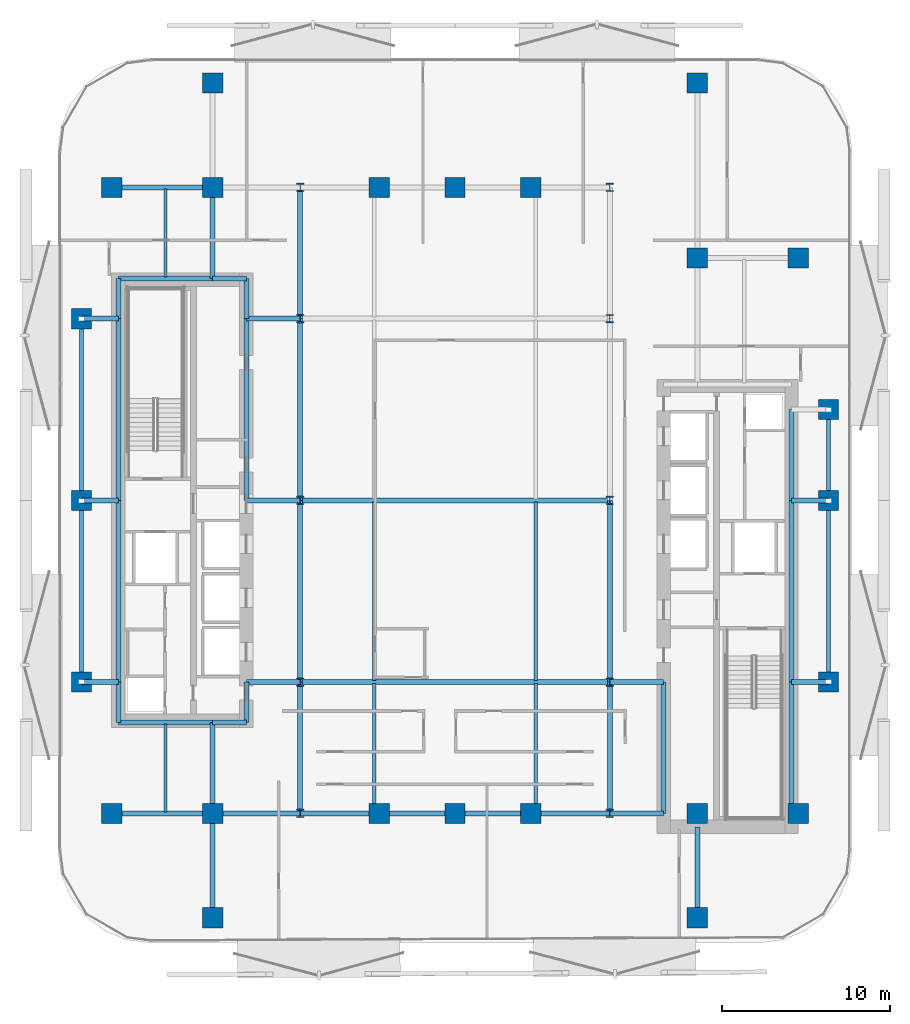
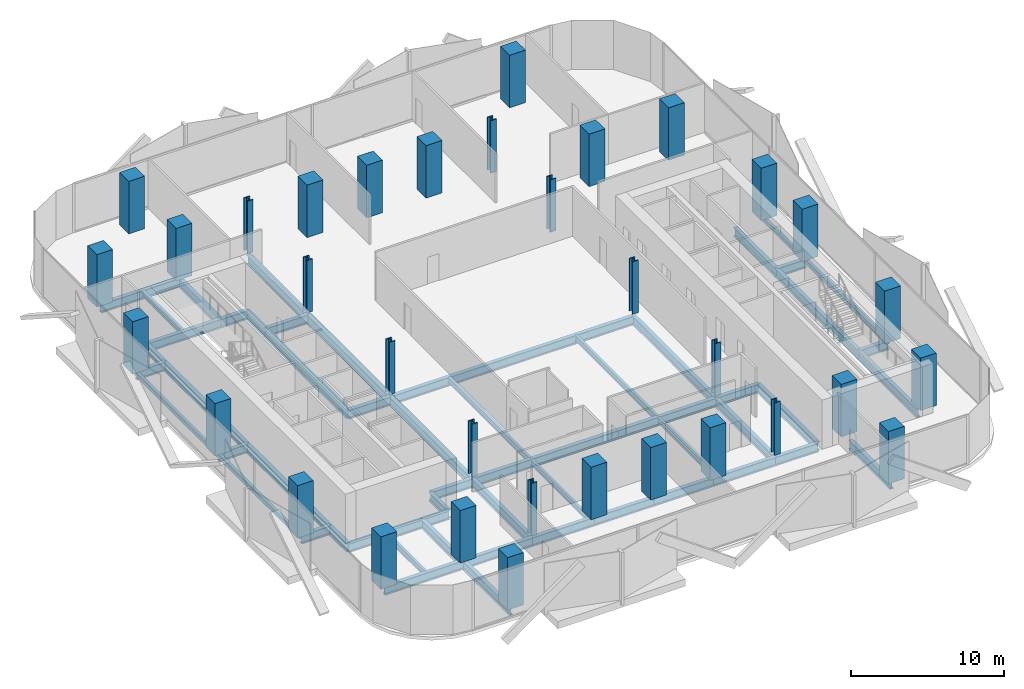
# One storey, part 1 of 15: 54 beams, 34 columns.
"""IFC4 building model written with IfcOpenShell, lengths in metres."""

from ifc_helpers import new_model, si_unit, direction, frame, origin, origin_2d, place, context, subcontext, project, spatial, rectangle, hollow_rectangle, i_section, extrude, material, material_profile, profile_set, type_object, element, save


model = new_model("IFC4")

# Units and contexts
model_context = context("Model", 3, precision=1e-05, world=origin(), true_north=direction((0.0, 1.0)))
body_context = subcontext(model_context, "Body", "Model", "MODEL_VIEW")
ifc_project = project(units=[si_unit("LENGTHUNIT", "METRE"), si_unit("AREAUNIT", "SQUARE_METRE"), si_unit("VOLUMEUNIT", "CUBIC_METRE"), si_unit("PLANEANGLEUNIT", "RADIAN"), si_unit("MASSUNIT", "GRAM", prefix="KILO")], contexts=[model_context])

# Site, building, storey
site_placement = place(None, origin())
site = spatial("IfcSite", under=ifc_project, at=site_placement, CompositionType="ELEMENT")
building_placement = place(site_placement, origin())
building = spatial("IfcBuilding", under=site, at=building_placement, Name="Khairoan Windgate Tower", CompositionType="ELEMENT")
storey_placement = place(building_placement, frame((0.0, 0.0, 118.39990234375)))
storey = spatial("IfcBuildingStorey", under=building, at=storey_placement, Name="L27", CompositionType="ELEMENT", Elevation=118.39990234375)

# Columns
ifc_material_1 = material(Name="Concrete C60/75", Category="concrete")
ifc_material_profile_1 = material_profile(ifc_material_1, rectangle(XDim=1.199951171875, YDim=1.199951171875, at=origin_2d()))
ifc_profile_set_1 = profile_set([ifc_material_profile_1], Name="Concrete C60/75")
column_type_1 = type_object("IfcColumnType", Name="Column C-T3 RC1200x1200", PredefinedType="COLUMN", material=ifc_profile_set_1)
for number, where, z_axis, x_axis, name in (
    (1, (-20.39990234375, -18.60009765625, 0.0), (0.0, 0.0, 1.0), (1.0, 0.0, 0.0), "Column L27-11"),
    (2, (-20.39990234375, 18.60009765625, 0.0), (0.0, 0.0, 1.0), (1.0, 0.0, 0.0), "Column L27-12"),
    (3, (20.39990234375, -18.60009765625, 0.0), (0.0, 0.0, 1.0), (1.0, 0.0, 0.0), "Column L27-13"),
    (4, (20.39990234375, 14.39990234375, 0.0), (0.0, 0.0, 1.0), (1.0, 0.0, 0.0), "Column L27-14"),
    (5, (-14.39990234375, -18.60009765625, 0.0), (0.0, 0.0, 1.0), (1.0, 0.0, 0.0), "Column L27-15"),
    (6, (-14.39990234375, 18.60009765625, 0.0), (0.0, 0.0, 1.0), (1.0, 0.0, 0.0), "Column L27-16"),
    (7, (14.39990234375, -18.60009765625, 0.0), (0.0, 0.0, 1.0), (1.0, 0.0, 0.0), "Column L27-17"),
    (8, (14.39990234375, 14.39990234375, 0.0), (0.0, 0.0, 1.0), (1.0, 0.0, 0.0), "Column L27-18"),
    (9, (-4.5, -18.60009765625, 0.0), (0.0, 0.0, 1.0), (1.0, 0.0, 0.0), "Column L27-19"),
    (10, (0.0, -18.60009765625, 0.0), (0.0, 0.0, 1.0), (1.0, 0.0, 0.0), "Column L27-20"),
    (11, (4.5, -18.60009765625, 0.0), (0.0, 0.0, 1.0), (1.0, 0.0, 0.0), "Column L27-21"),
    (12, (-4.5, 18.60009765625, 0.0), (0.0, 0.0, 1.0), (1.0, 0.0, 0.0), "Column L27-22"),
    (13, (0.0, 18.60009765625, 0.0), (0.0, 0.0, 1.0), (1.0, 0.0, 0.0), "Column L27-23"),
    (14, (4.5, 18.60009765625, 0.0), (0.0, 0.0, 1.0), (1.0, 0.0, 0.0), "Column L27-24"),
    (15, (-22.199951171875, -10.800048828125, 0.0), (0.0, 0.0, 1.0), (1.0, 0.0, 0.0), "Column L27-25"),
    (16, (-22.199951171875, 0.0, 0.0), (0.0, 0.0, 1.0), (1.0, 0.0, 0.0), "Column L27-26"),
    (17, (-22.199951171875, 10.800048828125, 0.0), (0.0, 0.0, 1.0), (1.0, 0.0, 0.0), "Column L27-27"),
    (18, (22.199951171875, -10.800048828125, 0.0), (0.0, 0.0, 1.0), (1.0, 0.0, 0.0), "Column L27-28"),
    (19, (22.199951171875, 0.0, 0.0), (0.0, 0.0, 1.0), (1.0, 0.0, 0.0), "Column L27-29"),
    (20, (22.199951171875, 5.39990234375, 0.0), (0.0, 0.0, 1.0), (1.0, 0.0, 0.0), "Column L27-30"),
    (21, (-14.39990234375, -24.800048828125, 0.0), (0.0, 0.0, 1.0), (1.0, 0.0, 0.0), "Column L27-31"),
    (22, (-14.39990234375, 24.800048828125, 0.0), (0.0, 0.0, 1.0), (1.0, 0.0, 0.0), "Column L27-32"),
    (23, (14.39990234375, -24.800048828125, 0.0), (0.0, 0.0, 1.0), (1.0, 0.0, 0.0), "Column L27-33"),
    (24, (14.39990234375, 24.800048828125, 0.0), (0.0, 0.0, 1.0), (1.0, 0.0, 0.0), "Column L27-34"),
):
    element("IfcColumn", number, at=place(storey_placement, frame(where, z_axis=z_axis, x_axis=x_axis)), inside=storey, type_object=column_type_1, Name=name, PredefinedType="COLUMN", context=body_context, shape_type="SweptSolid", body=[
        extrude(rectangle(XDim=1.199951171875, YDim=1.199951171875, at=origin_2d()), origin(), (0.0, 0.0, 1.0), 4.2001953125),
    ])
ifc_material_2 = material(Name="Steel S355", Category="steel")
ifc_material_profile_2 = material_profile(ifc_material_2, i_section(OverallWidth=0.431884765625, OverallDepth=0.498046875, WebThickness=0.044921875, FlangeThickness=0.070068359375, FilletRadius=0.02197265625, at=origin_2d()))
ifc_profile_set_2 = profile_set([ifc_material_profile_2], Name="Steel S355")
column_type_2 = type_object("IfcColumnType", Name="Steel Column SC1 H498x432x45x70", PredefinedType="COLUMN", material=ifc_profile_set_2)
for number, where, z_axis, x_axis, name in (
    (25, (-9.199951171875, -18.60009765625, 0.0), (0.0, 0.0, 1.0), (1.0, 0.0, 0.0), "Column L27-01"),
    (26, (-9.199951171875, -10.800048828125, 0.0), (0.0, 0.0, 1.0), (1.0, 0.0, 0.0), "Column L27-02"),
    (27, (-9.199951171875, 0.0, 0.0), (0.0, 0.0, 1.0), (1.0, 0.0, 0.0), "Column L27-03"),
    (28, (-9.199951171875, 10.800048828125, 0.0), (0.0, 0.0, 1.0), (1.0, 0.0, 0.0), "Column L27-04"),
    (29, (-9.199951171875, 18.60009765625, 0.0), (0.0, 0.0, 1.0), (1.0, 0.0, 0.0), "Column L27-05"),
    (30, (9.199951171875, -18.60009765625, 0.0), (0.0, 0.0, 1.0), (1.0, 0.0, 0.0), "Column L27-06"),
    (31, (9.199951171875, -10.800048828125, 0.0), (0.0, 0.0, 1.0), (1.0, 0.0, 0.0), "Column L27-07"),
    (32, (9.199951171875, 0.0, 0.0), (0.0, 0.0, 1.0), (1.0, 0.0, 0.0), "Column L27-08"),
    (33, (9.199951171875, 10.800048828125, 0.0), (0.0, 0.0, 1.0), (1.0, 0.0, 0.0), "Column L27-09"),
    (34, (9.199951171875, 18.60009765625, 0.0), (0.0, 0.0, 1.0), (1.0, 0.0, 0.0), "Column L27-10"),
):
    element("IfcColumn", number, at=place(storey_placement, frame(where, z_axis=z_axis, x_axis=x_axis)), inside=storey, type_object=column_type_2, Name=name, PredefinedType="COLUMN", context=body_context, shape_type="SweptSolid", body=[
        extrude(i_section(OverallWidth=0.431884765625, OverallDepth=0.498046875, WebThickness=0.044921875, FlangeThickness=0.070068359375, FilletRadius=0.02197265625, at=origin_2d()), origin(), (0.0, 0.0, 1.0), 4.2001953125),
    ])

# Beams
ifc_material_3 = material(Name="Steel S355", Category="steel")
ifc_material_profile_3 = material_profile(ifc_material_3, i_section(OverallWidth=0.300048828125, OverallDepth=0.699951171875, WebThickness=0.012939453125, FlangeThickness=0.02392578125, FilletRadius=0.02587890625, at=origin_2d()))
ifc_profile_set_3 = profile_set([ifc_material_profile_3], Name="Steel S355")
beam_type_1 = type_object("IfcBeamType", Name="Beam B-G3 H700x300x13x24", PredefinedType="BEAM", material=ifc_profile_set_3)
beam_1_placement = place(storey_placement, frame((-20.39990234375, -18.60009765625, -0.60986328125), z_axis=(1.0, 0.0, 0.0), x_axis=(0.0, 1.0, 0.0)))
element("IfcBeam", 35, at=beam_1_placement, inside=storey, type_object=beam_type_1, Name="L27 E-W Primary Girder 01", PredefinedType="BEAM", context=body_context, shape_type="SweptSolid", body=[
    extrude(i_section(OverallWidth=0.300048828125, OverallDepth=0.699951171875, WebThickness=0.012939453125, FlangeThickness=0.02392578125, FilletRadius=0.02587890625, at=origin_2d()), origin(), (0.0, 0.0, 1.0), 6.0),
])
beam_2_placement = place(storey_placement, frame((-14.39990234375, -18.60009765625, -0.60986328125), z_axis=(1.0, 0.0, 0.0), x_axis=(0.0, 1.0, 0.0)))
element("IfcBeam", 36, at=beam_2_placement, inside=storey, type_object=beam_type_1, Name="L27 E-W Primary Girder 02", PredefinedType="BEAM", context=body_context, shape_type="SweptSolid", body=[
    extrude(i_section(OverallWidth=0.300048828125, OverallDepth=0.699951171875, WebThickness=0.012939453125, FlangeThickness=0.02392578125, FilletRadius=0.02587890625, at=origin_2d()), origin(), (0.0, 0.0, 1.0), 5.199951171875),
])
beam_3_placement = place(storey_placement, frame((-9.199951171875, -18.60009765625, -0.60986328125), z_axis=(1.0, 0.0, 0.0), x_axis=(0.0, 1.0, 0.0)))
element("IfcBeam", 37, at=beam_3_placement, inside=storey, type_object=beam_type_1, Name="L27 E-W Primary Girder 03", PredefinedType="BEAM", context=body_context, shape_type="SweptSolid", body=[
    extrude(i_section(OverallWidth=0.300048828125, OverallDepth=0.699951171875, WebThickness=0.012939453125, FlangeThickness=0.02392578125, FilletRadius=0.02587890625, at=origin_2d()), origin(), (0.0, 0.0, 1.0), 4.699951171875),
])
for number, where, z_axis, x_axis, name in (
    (38, (-4.5, -18.60009765625, -0.60986328125), (1.0, 0.0, 0.0), (0.0, 1.0, 0.0), "L27 E-W Primary Girder 04"),
    (39, (0.0, -18.60009765625, -0.60986328125), (1.0, 0.0, 0.0), (0.0, 1.0, 0.0), "L27 E-W Primary Girder 05"),
):
    element("IfcBeam", number, at=place(storey_placement, frame(where, z_axis=z_axis, x_axis=x_axis)), inside=storey, type_object=beam_type_1, Name=name, PredefinedType="BEAM", context=body_context, shape_type="SweptSolid", body=[
        extrude(i_section(OverallWidth=0.300048828125, OverallDepth=0.699951171875, WebThickness=0.012939453125, FlangeThickness=0.02392578125, FilletRadius=0.02587890625, at=origin_2d()), origin(), (0.0, 0.0, 1.0), 4.5),
    ])
beam_4_placement = place(storey_placement, frame((4.5, -18.60009765625, -0.60986328125), z_axis=(1.0, 0.0, 0.0), x_axis=(0.0, 1.0, 0.0)))
element("IfcBeam", 40, at=beam_4_placement, inside=storey, type_object=beam_type_1, Name="L27 E-W Primary Girder 06", PredefinedType="BEAM", context=body_context, shape_type="SweptSolid", body=[
    extrude(i_section(OverallWidth=0.300048828125, OverallDepth=0.699951171875, WebThickness=0.012939453125, FlangeThickness=0.02392578125, FilletRadius=0.02587890625, at=origin_2d()), origin(), (0.0, 0.0, 1.0), 4.699951171875),
])
beam_5_placement = place(storey_placement, frame((9.199951171875, -18.60009765625, -0.60986328125), z_axis=(1.0, 0.0, 0.0), x_axis=(0.0, 1.0, 0.0)))
element("IfcBeam", 41, at=beam_5_placement, inside=storey, type_object=beam_type_1, Name="L27 E-W Primary Girder 07", PredefinedType="BEAM", context=body_context, shape_type="SweptSolid", body=[
    extrude(i_section(OverallWidth=0.300048828125, OverallDepth=0.699951171875, WebThickness=0.012939453125, FlangeThickness=0.02392578125, FilletRadius=0.02587890625, at=origin_2d()), origin(), (0.0, 0.0, 1.0), 3.199951171875),
])
beam_6_placement = place(storey_placement, frame((-20.0, -13.199951171875, -0.60986328125), z_axis=(1.0, 0.0, 0.0), x_axis=(0.0, 1.0, 0.0)))
element("IfcBeam", 42, at=beam_6_placement, inside=storey, type_object=beam_type_1, Name="L27 E-W Primary Girder 08", PredefinedType="BEAM", context=body_context, shape_type="SweptSolid", body=[
    extrude(i_section(OverallWidth=0.300048828125, OverallDepth=0.699951171875, WebThickness=0.012939453125, FlangeThickness=0.02392578125, FilletRadius=0.02587890625, at=origin_2d()), origin(), (0.0, 0.0, 1.0), 5.60009765625),
])
beam_7_placement = place(storey_placement, frame((-14.39990234375, -13.199951171875, -0.60986328125), z_axis=(1.0, 0.0, 0.0), x_axis=(0.0, 1.0, 0.0)))
element("IfcBeam", 43, at=beam_7_placement, inside=storey, type_object=beam_type_1, Name="L27 E-W Primary Girder 09", PredefinedType="BEAM", context=body_context, shape_type="SweptSolid", body=[
    extrude(i_section(OverallWidth=0.300048828125, OverallDepth=0.699951171875, WebThickness=0.012939453125, FlangeThickness=0.02392578125, FilletRadius=0.02587890625, at=origin_2d()), origin(), (0.0, 0.0, 1.0), 2.0),
])
beam_8_placement = place(storey_placement, frame((-22.199951171875, -10.800048828125, -0.60986328125), z_axis=(1.0, 0.0, 0.0), x_axis=(0.0, 1.0, 0.0)))
element("IfcBeam", 44, at=beam_8_placement, inside=storey, type_object=beam_type_1, Name="L27 E-W Primary Girder 10", PredefinedType="BEAM", context=body_context, shape_type="SweptSolid", body=[
    extrude(i_section(OverallWidth=0.300048828125, OverallDepth=0.699951171875, WebThickness=0.012939453125, FlangeThickness=0.02392578125, FilletRadius=0.02587890625, at=origin_2d()), origin(), (0.0, 0.0, 1.0), 2.199951171875),
])
beam_9_placement = place(storey_placement, frame((-12.39990234375, -10.800048828125, -0.60986328125), z_axis=(1.0, 0.0, 0.0), x_axis=(0.0, 1.0, 0.0)))
element("IfcBeam", 45, at=beam_9_placement, inside=storey, type_object=beam_type_1, Name="L27 E-W Primary Girder 11", PredefinedType="BEAM", context=body_context, shape_type="SweptSolid", body=[
    extrude(i_section(OverallWidth=0.300048828125, OverallDepth=0.699951171875, WebThickness=0.012939453125, FlangeThickness=0.02392578125, FilletRadius=0.02587890625, at=origin_2d()), origin(), (0.0, 0.0, 1.0), 3.199951171875),
])
beam_10_placement = place(storey_placement, frame((-9.199951171875, -10.800048828125, -0.60986328125), z_axis=(1.0, 0.0, 0.0), x_axis=(0.0, 1.0, 0.0)))
element("IfcBeam", 46, at=beam_10_placement, inside=storey, type_object=beam_type_1, Name="L27 E-W Primary Girder 12", PredefinedType="BEAM", context=body_context, shape_type="SweptSolid", body=[
    extrude(i_section(OverallWidth=0.300048828125, OverallDepth=0.699951171875, WebThickness=0.012939453125, FlangeThickness=0.02392578125, FilletRadius=0.02587890625, at=origin_2d()), origin(), (0.0, 0.0, 1.0), 18.39990234375),
])
beam_11_placement = place(storey_placement, frame((9.199951171875, -10.800048828125, -0.60986328125), z_axis=(1.0, 0.0, 0.0), x_axis=(0.0, 1.0, 0.0)))
element("IfcBeam", 47, at=beam_11_placement, inside=storey, type_object=beam_type_1, Name="L27 E-W Primary Girder 13", PredefinedType="BEAM", context=body_context, shape_type="SweptSolid", body=[
    extrude(i_section(OverallWidth=0.300048828125, OverallDepth=0.699951171875, WebThickness=0.012939453125, FlangeThickness=0.02392578125, FilletRadius=0.02587890625, at=origin_2d()), origin(), (0.0, 0.0, 1.0), 3.199951171875),
])
for number, where, z_axis, x_axis, name in (
    (48, (20.0, -10.800048828125, -0.60986328125), (1.0, 0.0, 0.0), (0.0, 1.0, 0.0), "L27 E-W Primary Girder 14"),
    (49, (-22.199951171875, 0.0, -0.60986328125), (1.0, 0.0, 0.0), (0.0, 1.0, 0.0), "L27 E-W Primary Girder 15"),
):
    element("IfcBeam", number, at=place(storey_placement, frame(where, z_axis=z_axis, x_axis=x_axis)), inside=storey, type_object=beam_type_1, Name=name, PredefinedType="BEAM", context=body_context, shape_type="SweptSolid", body=[
        extrude(i_section(OverallWidth=0.300048828125, OverallDepth=0.699951171875, WebThickness=0.012939453125, FlangeThickness=0.02392578125, FilletRadius=0.02587890625, at=origin_2d()), origin(), (0.0, 0.0, 1.0), 2.199951171875),
    ])
beam_12_placement = place(storey_placement, frame((-12.39990234375, 0.0, -0.60986328125), z_axis=(1.0, 0.0, 0.0), x_axis=(0.0, 1.0, 0.0)))
element("IfcBeam", 50, at=beam_12_placement, inside=storey, type_object=beam_type_1, Name="L27 E-W Primary Girder 16", PredefinedType="BEAM", context=body_context, shape_type="SweptSolid", body=[
    extrude(i_section(OverallWidth=0.300048828125, OverallDepth=0.699951171875, WebThickness=0.012939453125, FlangeThickness=0.02392578125, FilletRadius=0.02587890625, at=origin_2d()), origin(), (0.0, 0.0, 1.0), 3.199951171875),
])
beam_13_placement = place(storey_placement, frame((-9.199951171875, 0.0, -0.60986328125), z_axis=(1.0, 0.0, 0.0), x_axis=(0.0, 1.0, 0.0)))
element("IfcBeam", 51, at=beam_13_placement, inside=storey, type_object=beam_type_1, Name="L27 E-W Primary Girder 17", PredefinedType="BEAM", context=body_context, shape_type="SweptSolid", body=[
    extrude(i_section(OverallWidth=0.300048828125, OverallDepth=0.699951171875, WebThickness=0.012939453125, FlangeThickness=0.02392578125, FilletRadius=0.02587890625, at=origin_2d()), origin(), (0.0, 0.0, 1.0), 18.39990234375),
])
for number, where, z_axis, x_axis, name in (
    (52, (20.0, 0.0, -0.60986328125), (1.0, 0.0, 0.0), (0.0, 1.0, 0.0), "L27 E-W Primary Girder 18"),
    (53, (-22.199951171875, 10.800048828125, -0.60986328125), (1.0, 0.0, 0.0), (0.0, 1.0, 0.0), "L27 E-W Primary Girder 22"),
):
    element("IfcBeam", number, at=place(storey_placement, frame(where, z_axis=z_axis, x_axis=x_axis)), inside=storey, type_object=beam_type_1, Name=name, PredefinedType="BEAM", context=body_context, shape_type="SweptSolid", body=[
        extrude(i_section(OverallWidth=0.300048828125, OverallDepth=0.699951171875, WebThickness=0.012939453125, FlangeThickness=0.02392578125, FilletRadius=0.02587890625, at=origin_2d()), origin(), (0.0, 0.0, 1.0), 2.199951171875),
    ])
beam_14_placement = place(storey_placement, frame((-12.39990234375, 10.800048828125, -0.60986328125), z_axis=(1.0, 0.0, 0.0), x_axis=(0.0, 1.0, 0.0)))
element("IfcBeam", 54, at=beam_14_placement, inside=storey, type_object=beam_type_1, Name="L27 E-W Primary Girder 23", PredefinedType="BEAM", context=body_context, shape_type="SweptSolid", body=[
    extrude(i_section(OverallWidth=0.300048828125, OverallDepth=0.699951171875, WebThickness=0.012939453125, FlangeThickness=0.02392578125, FilletRadius=0.02587890625, at=origin_2d()), origin(), (0.0, 0.0, 1.0), 3.199951171875),
])
beam_15_placement = place(storey_placement, frame((-20.0, 13.199951171875, -0.60986328125), z_axis=(1.0, 0.0, 0.0), x_axis=(0.0, 1.0, 0.0)))
element("IfcBeam", 55, at=beam_15_placement, inside=storey, type_object=beam_type_1, Name="L27 E-W Primary Girder 25", PredefinedType="BEAM", context=body_context, shape_type="SweptSolid", body=[
    extrude(i_section(OverallWidth=0.300048828125, OverallDepth=0.699951171875, WebThickness=0.012939453125, FlangeThickness=0.02392578125, FilletRadius=0.02587890625, at=origin_2d()), origin(), (0.0, 0.0, 1.0), 5.60009765625),
])
beam_16_placement = place(storey_placement, frame((-14.39990234375, 13.199951171875, -0.60986328125), z_axis=(1.0, 0.0, 0.0), x_axis=(0.0, 1.0, 0.0)))
element("IfcBeam", 56, at=beam_16_placement, inside=storey, type_object=beam_type_1, Name="L27 E-W Primary Girder 26", PredefinedType="BEAM", context=body_context, shape_type="SweptSolid", body=[
    extrude(i_section(OverallWidth=0.300048828125, OverallDepth=0.699951171875, WebThickness=0.012939453125, FlangeThickness=0.02392578125, FilletRadius=0.02587890625, at=origin_2d()), origin(), (0.0, 0.0, 1.0), 2.0),
])
beam_17_placement = place(storey_placement, frame((-20.39990234375, 18.60009765625, -0.60986328125), z_axis=(1.0, 0.0, 0.0), x_axis=(0.0, 1.0, 0.0)))
element("IfcBeam", 57, at=beam_17_placement, inside=storey, type_object=beam_type_1, Name="L27 E-W Primary Girder 28", PredefinedType="BEAM", context=body_context, shape_type="SweptSolid", body=[
    extrude(i_section(OverallWidth=0.300048828125, OverallDepth=0.699951171875, WebThickness=0.012939453125, FlangeThickness=0.02392578125, FilletRadius=0.02587890625, at=origin_2d()), origin(), (0.0, 0.0, 1.0), 6.0),
])
beam_18_placement = place(storey_placement, frame((-20.0, -13.199951171875, -0.60986328125), z_axis=(0.0, 1.0, 0.0), x_axis=(-1.0, 0.0, 0.0)))
element("IfcBeam", 58, at=beam_18_placement, inside=storey, type_object=beam_type_1, Name="L27 N-S Primary Beam 36", PredefinedType="BEAM", context=body_context, shape_type="SweptSolid", body=[
    extrude(i_section(OverallWidth=0.300048828125, OverallDepth=0.699951171875, WebThickness=0.012939453125, FlangeThickness=0.02392578125, FilletRadius=0.02587890625, at=origin_2d()), origin(), (0.0, 0.0, 1.0), 2.39990234375),
])
for number, where, z_axis, x_axis, name in (
    (59, (-20.0, -10.800048828125, -0.60986328125), (0.0, 1.0, 0.0), (-1.0, 0.0, 0.0), "L27 N-S Primary Beam 37"),
    (60, (-20.0, 0.0, -0.60986328125), (0.0, 1.0, 0.0), (-1.0, 0.0, 0.0), "L27 N-S Primary Beam 38"),
):
    element("IfcBeam", number, at=place(storey_placement, frame(where, z_axis=z_axis, x_axis=x_axis)), inside=storey, type_object=beam_type_1, Name=name, PredefinedType="BEAM", context=body_context, shape_type="SweptSolid", body=[
        extrude(i_section(OverallWidth=0.300048828125, OverallDepth=0.699951171875, WebThickness=0.012939453125, FlangeThickness=0.02392578125, FilletRadius=0.02587890625, at=origin_2d()), origin(), (0.0, 0.0, 1.0), 10.800048828125),
    ])
beam_19_placement = place(storey_placement, frame((-20.0, 10.800048828125, -0.60986328125), z_axis=(0.0, 1.0, 0.0), x_axis=(-1.0, 0.0, 0.0)))
element("IfcBeam", 61, at=beam_19_placement, inside=storey, type_object=beam_type_1, Name="L27 N-S Primary Beam 39", PredefinedType="BEAM", context=body_context, shape_type="SweptSolid", body=[
    extrude(i_section(OverallWidth=0.300048828125, OverallDepth=0.699951171875, WebThickness=0.012939453125, FlangeThickness=0.02392578125, FilletRadius=0.02587890625, at=origin_2d()), origin(), (0.0, 0.0, 1.0), 2.39990234375),
])
beam_20_placement = place(storey_placement, frame((-14.39990234375, -24.800048828125, -0.60986328125), z_axis=(0.0, 1.0, 0.0), x_axis=(-1.0, 0.0, 0.0)))
element("IfcBeam", 62, at=beam_20_placement, inside=storey, type_object=beam_type_1, Name="L27 N-S Primary Beam 40", PredefinedType="BEAM", context=body_context, shape_type="SweptSolid", body=[
    extrude(i_section(OverallWidth=0.300048828125, OverallDepth=0.699951171875, WebThickness=0.012939453125, FlangeThickness=0.02392578125, FilletRadius=0.02587890625, at=origin_2d()), origin(), (0.0, 0.0, 1.0), 6.199951171875),
])
for number, where, z_axis, x_axis, name in (
    (63, (-14.39990234375, -18.60009765625, -0.60986328125), (0.0, 1.0, 0.0), (-1.0, 0.0, 0.0), "L27 N-S Primary Beam 41"),
    (64, (-14.39990234375, 13.199951171875, -0.60986328125), (0.0, 1.0, 0.0), (-1.0, 0.0, 0.0), "L27 N-S Primary Beam 42"),
):
    element("IfcBeam", number, at=place(storey_placement, frame(where, z_axis=z_axis, x_axis=x_axis)), inside=storey, type_object=beam_type_1, Name=name, PredefinedType="BEAM", context=body_context, shape_type="SweptSolid", body=[
        extrude(i_section(OverallWidth=0.300048828125, OverallDepth=0.699951171875, WebThickness=0.012939453125, FlangeThickness=0.02392578125, FilletRadius=0.02587890625, at=origin_2d()), origin(), (0.0, 0.0, 1.0), 5.400146484375),
    ])
beam_21_placement = place(storey_placement, frame((-12.39990234375, -13.199951171875, -0.60986328125), z_axis=(0.0, 1.0, 0.0), x_axis=(-1.0, 0.0, 0.0)))
element("IfcBeam", 65, at=beam_21_placement, inside=storey, type_object=beam_type_1, Name="L27 N-S Primary Beam 44", PredefinedType="BEAM", context=body_context, shape_type="SweptSolid", body=[
    extrude(i_section(OverallWidth=0.300048828125, OverallDepth=0.699951171875, WebThickness=0.012939453125, FlangeThickness=0.02392578125, FilletRadius=0.02587890625, at=origin_2d()), origin(), (0.0, 0.0, 1.0), 2.39990234375),
])
beam_22_placement = place(storey_placement, frame((-12.39990234375, 0.0, -0.60986328125), z_axis=(0.0, 1.0, 0.0), x_axis=(-1.0, 0.0, 0.0)))
element("IfcBeam", 66, at=beam_22_placement, inside=storey, type_object=beam_type_1, Name="L27 N-S Primary Beam 45", PredefinedType="BEAM", context=body_context, shape_type="SweptSolid", body=[
    extrude(i_section(OverallWidth=0.300048828125, OverallDepth=0.699951171875, WebThickness=0.012939453125, FlangeThickness=0.02392578125, FilletRadius=0.02587890625, at=origin_2d()), origin(), (0.0, 0.0, 1.0), 10.800048828125),
])
beam_23_placement = place(storey_placement, frame((-12.39990234375, 10.800048828125, -0.60986328125), z_axis=(0.0, 1.0, 0.0), x_axis=(-1.0, 0.0, 0.0)))
element("IfcBeam", 67, at=beam_23_placement, inside=storey, type_object=beam_type_1, Name="L27 N-S Primary Beam 46", PredefinedType="BEAM", context=body_context, shape_type="SweptSolid", body=[
    extrude(i_section(OverallWidth=0.300048828125, OverallDepth=0.699951171875, WebThickness=0.012939453125, FlangeThickness=0.02392578125, FilletRadius=0.02587890625, at=origin_2d()), origin(), (0.0, 0.0, 1.0), 2.39990234375),
])
beam_24_placement = place(storey_placement, frame((-9.199951171875, -18.60009765625, -0.60986328125), z_axis=(0.0, 1.0, 0.0), x_axis=(-1.0, 0.0, 0.0)))
element("IfcBeam", 68, at=beam_24_placement, inside=storey, type_object=beam_type_1, Name="L27 N-S Primary Beam 47", PredefinedType="BEAM", context=body_context, shape_type="SweptSolid", body=[
    extrude(i_section(OverallWidth=0.300048828125, OverallDepth=0.699951171875, WebThickness=0.012939453125, FlangeThickness=0.02392578125, FilletRadius=0.02587890625, at=origin_2d()), origin(), (0.0, 0.0, 1.0), 7.800048828125),
])
for number, where, z_axis, x_axis, name in (
    (69, (-9.199951171875, -10.800048828125, -0.60986328125), (0.0, 1.0, 0.0), (-1.0, 0.0, 0.0), "L27 N-S Primary Beam 48"),
    (70, (-9.199951171875, 0.0, -0.60986328125), (0.0, 1.0, 0.0), (-1.0, 0.0, 0.0), "L27 N-S Primary Beam 49"),
):
    element("IfcBeam", number, at=place(storey_placement, frame(where, z_axis=z_axis, x_axis=x_axis)), inside=storey, type_object=beam_type_1, Name=name, PredefinedType="BEAM", context=body_context, shape_type="SweptSolid", body=[
        extrude(i_section(OverallWidth=0.300048828125, OverallDepth=0.699951171875, WebThickness=0.012939453125, FlangeThickness=0.02392578125, FilletRadius=0.02587890625, at=origin_2d()), origin(), (0.0, 0.0, 1.0), 10.800048828125),
    ])
for number, where, z_axis, x_axis, name in (
    (71, (-9.199951171875, 10.800048828125, -0.60986328125), (0.0, 1.0, 0.0), (-1.0, 0.0, 0.0), "L27 N-S Primary Beam 50"),
    (72, (9.199951171875, -18.60009765625, -0.60986328125), (0.0, 1.0, 0.0), (-1.0, 0.0, 0.0), "L27 N-S Primary Beam 51"),
):
    element("IfcBeam", number, at=place(storey_placement, frame(where, z_axis=z_axis, x_axis=x_axis)), inside=storey, type_object=beam_type_1, Name=name, PredefinedType="BEAM", context=body_context, shape_type="SweptSolid", body=[
        extrude(i_section(OverallWidth=0.300048828125, OverallDepth=0.699951171875, WebThickness=0.012939453125, FlangeThickness=0.02392578125, FilletRadius=0.02587890625, at=origin_2d()), origin(), (0.0, 0.0, 1.0), 7.800048828125),
    ])
beam_25_placement = place(storey_placement, frame((9.199951171875, -10.800048828125, -0.60986328125), z_axis=(0.0, 1.0, 0.0), x_axis=(-1.0, 0.0, 0.0)))
element("IfcBeam", 73, at=beam_25_placement, inside=storey, type_object=beam_type_1, Name="L27 N-S Primary Beam 52", PredefinedType="BEAM", context=body_context, shape_type="SweptSolid", body=[
    extrude(i_section(OverallWidth=0.300048828125, OverallDepth=0.699951171875, WebThickness=0.012939453125, FlangeThickness=0.02392578125, FilletRadius=0.02587890625, at=origin_2d()), origin(), (0.0, 0.0, 1.0), 10.800048828125),
])
beam_26_placement = place(storey_placement, frame((12.39990234375, -18.60009765625, -0.60986328125), z_axis=(0.0, 1.0, 0.0), x_axis=(-1.0, 0.0, 0.0)))
element("IfcBeam", 74, at=beam_26_placement, inside=storey, type_object=beam_type_1, Name="L27 N-S Primary Beam 55", PredefinedType="BEAM", context=body_context, shape_type="SweptSolid", body=[
    extrude(i_section(OverallWidth=0.300048828125, OverallDepth=0.699951171875, WebThickness=0.012939453125, FlangeThickness=0.02392578125, FilletRadius=0.02587890625, at=origin_2d()), origin(), (0.0, 0.0, 1.0), 7.800048828125),
])
beam_27_placement = place(storey_placement, frame((14.39990234375, -24.800048828125, -0.60986328125), z_axis=(0.0, 1.0, 0.0), x_axis=(-1.0, 0.0, 0.0)))
element("IfcBeam", 75, at=beam_27_placement, inside=storey, type_object=beam_type_1, Name="L27 N-S Primary Beam 56", PredefinedType="BEAM", context=body_context, shape_type="SweptSolid", body=[
    extrude(i_section(OverallWidth=0.300048828125, OverallDepth=0.699951171875, WebThickness=0.012939453125, FlangeThickness=0.02392578125, FilletRadius=0.02587890625, at=origin_2d()), origin(), (0.0, 0.0, 1.0), 5.400146484375),
])
beam_28_placement = place(storey_placement, frame((20.0, -18.60009765625, -0.60986328125), z_axis=(0.0, 1.0, 0.0), x_axis=(-1.0, 0.0, 0.0)))
element("IfcBeam", 76, at=beam_28_placement, inside=storey, type_object=beam_type_1, Name="L27 N-S Primary Beam 59", PredefinedType="BEAM", context=body_context, shape_type="SweptSolid", body=[
    extrude(i_section(OverallWidth=0.300048828125, OverallDepth=0.699951171875, WebThickness=0.012939453125, FlangeThickness=0.02392578125, FilletRadius=0.02587890625, at=origin_2d()), origin(), (0.0, 0.0, 1.0), 7.800048828125),
])
beam_29_placement = place(storey_placement, frame((20.0, -10.800048828125, -0.60986328125), z_axis=(0.0, 1.0, 0.0), x_axis=(-1.0, 0.0, 0.0)))
element("IfcBeam", 77, at=beam_29_placement, inside=storey, type_object=beam_type_1, Name="L27 N-S Primary Beam 60", PredefinedType="BEAM", context=body_context, shape_type="SweptSolid", body=[
    extrude(i_section(OverallWidth=0.300048828125, OverallDepth=0.699951171875, WebThickness=0.012939453125, FlangeThickness=0.02392578125, FilletRadius=0.02587890625, at=origin_2d()), origin(), (0.0, 0.0, 1.0), 10.800048828125),
])
beam_30_placement = place(storey_placement, frame((20.0, 0.0, -0.60986328125), z_axis=(0.0, 1.0, 0.0), x_axis=(-1.0, 0.0, 0.0)))
element("IfcBeam", 78, at=beam_30_placement, inside=storey, type_object=beam_type_1, Name="L27 N-S Primary Beam 61", PredefinedType="BEAM", context=body_context, shape_type="SweptSolid", body=[
    extrude(i_section(OverallWidth=0.300048828125, OverallDepth=0.699951171875, WebThickness=0.012939453125, FlangeThickness=0.02392578125, FilletRadius=0.02587890625, at=origin_2d()), origin(), (0.0, 0.0, 1.0), 5.39990234375),
])
ifc_material_4 = material(Name="Steel S355", Category="steel")
ifc_material_profile_4 = material_profile(ifc_material_4, i_section(OverallWidth=0.199951171875, OverallDepth=0.449951171875, WebThickness=0.009033203125, FlangeThickness=0.013916015625, FilletRadius=0.01806640625, at=origin_2d()))
ifc_profile_set_4 = profile_set([ifc_material_profile_4], Name="Steel S355")
beam_type_2 = type_object("IfcBeamType", Name="Beam J-S3 H450x200x9x14", PredefinedType="JOIST", material=ifc_profile_set_4)
for number, where, z_axis, x_axis, name in (
    (79, (-17.199951171875, -18.510009765625, -0.48486328125), (0.0, 1.0, 0.0), (-1.0, 0.0, 0.0), "L27 Secondary Floor Joist 01"),
    (80, (-17.199951171875, 13.2900390625, -0.48486328125), (0.0, 1.0, 0.0), (-1.0, 0.0, 0.0), "L27 Secondary Floor Joist 02"),
):
    element("IfcBeam", number, at=place(storey_placement, frame(where, z_axis=z_axis, x_axis=x_axis)), inside=storey, type_object=beam_type_2, Name=name, PredefinedType="JOIST", context=body_context, shape_type="SweptSolid", body=[
        extrude(i_section(OverallWidth=0.199951171875, OverallDepth=0.449951171875, WebThickness=0.009033203125, FlangeThickness=0.013916015625, FilletRadius=0.01806640625, at=origin_2d()), origin(), (0.0, 0.0, 1.0), 5.219970703125),
    ])
beam_31_placement = place(storey_placement, frame((-4.800048828125, -18.510009765625, -0.48486328125), z_axis=(0.0, 1.0, 0.0), x_axis=(-1.0, 0.0, 0.0)))
element("IfcBeam", 81, at=beam_31_placement, inside=storey, type_object=beam_type_2, Name="L27 Secondary Floor Joist 03", PredefinedType="JOIST", context=body_context, shape_type="SweptSolid", body=[
    extrude(i_section(OverallWidth=0.199951171875, OverallDepth=0.449951171875, WebThickness=0.009033203125, FlangeThickness=0.013916015625, FilletRadius=0.01806640625, at=origin_2d()), origin(), (0.0, 0.0, 1.0), 7.6201171875),
])
beam_32_placement = place(storey_placement, frame((-4.800048828125, -10.7099609375, -0.48486328125), z_axis=(0.0, 1.0, 0.0), x_axis=(-1.0, 0.0, 0.0)))
element("IfcBeam", 82, at=beam_32_placement, inside=storey, type_object=beam_type_2, Name="L27 Secondary Floor Joist 04", PredefinedType="JOIST", context=body_context, shape_type="SweptSolid", body=[
    extrude(i_section(OverallWidth=0.199951171875, OverallDepth=0.449951171875, WebThickness=0.009033203125, FlangeThickness=0.013916015625, FilletRadius=0.01806640625, at=origin_2d()), origin(), (0.0, 0.0, 1.0), 10.619873046875),
])
beam_33_placement = place(storey_placement, frame((4.800048828125, -18.510009765625, -0.48486328125), z_axis=(0.0, 1.0, 0.0), x_axis=(-1.0, 0.0, 0.0)))
element("IfcBeam", 83, at=beam_33_placement, inside=storey, type_object=beam_type_2, Name="L27 Secondary Floor Joist 07", PredefinedType="JOIST", context=body_context, shape_type="SweptSolid", body=[
    extrude(i_section(OverallWidth=0.199951171875, OverallDepth=0.449951171875, WebThickness=0.009033203125, FlangeThickness=0.013916015625, FilletRadius=0.01806640625, at=origin_2d()), origin(), (0.0, 0.0, 1.0), 7.6201171875),
])
beam_34_placement = place(storey_placement, frame((4.800048828125, -10.7099609375, -0.48486328125), z_axis=(0.0, 1.0, 0.0), x_axis=(-1.0, 0.0, 0.0)))
element("IfcBeam", 84, at=beam_34_placement, inside=storey, type_object=beam_type_2, Name="L27 Secondary Floor Joist 08", PredefinedType="JOIST", context=body_context, shape_type="SweptSolid", body=[
    extrude(i_section(OverallWidth=0.199951171875, OverallDepth=0.449951171875, WebThickness=0.009033203125, FlangeThickness=0.013916015625, FilletRadius=0.01806640625, at=origin_2d()), origin(), (0.0, 0.0, 1.0), 10.619873046875),
])
ifc_material_5 = material(Name="Steel S355", Category="steel")
ifc_material_profile_5 = material_profile(ifc_material_5, hollow_rectangle(XDim=0.25, YDim=0.35009765625, WallThickness=0.012451171875, InnerFilletRadius=0.012451171875, OuterFilletRadius=0.02490234375, at=origin_2d()))
ifc_profile_set_5 = profile_set([ifc_material_profile_5], Name="Steel S355")
beam_type_3 = type_object("IfcBeamType", Name="Beam SP-B2 RHS350x250x12.5", PredefinedType="SPANDREL", material=ifc_profile_set_5)
for number, where, z_axis, x_axis, name in (
    (85, (-22.199951171875, -10.800048828125, -0.434814453125), (0.0, 1.0, 0.0), (-1.0, 0.0, 0.0), "L27 Spandrel Beam 34"),
    (86, (-22.199951171875, 0.0, -0.434814453125), (0.0, 1.0, 0.0), (-1.0, 0.0, 0.0), "L27 Spandrel Beam 35"),
    (87, (22.199951171875, -10.800048828125, -0.434814453125), (0.0, 1.0, 0.0), (-1.0, 0.0, 0.0), "L27 Spandrel Beam 62"),
):
    element("IfcBeam", number, at=place(storey_placement, frame(where, z_axis=z_axis, x_axis=x_axis)), inside=storey, type_object=beam_type_3, Name=name, PredefinedType="SPANDREL", context=body_context, shape_type="SweptSolid", body=[
        extrude(hollow_rectangle(XDim=0.25, YDim=0.35009765625, WallThickness=0.012451171875, InnerFilletRadius=0.012451171875, OuterFilletRadius=0.02490234375, at=origin_2d()), origin(), (0.0, 0.0, 1.0), 10.800048828125),
    ])
beam_35_placement = place(storey_placement, frame((22.199951171875, 0.0, -0.434814453125), z_axis=(0.0, 1.0, 0.0), x_axis=(-1.0, 0.0, 0.0)))
element("IfcBeam", 88, at=beam_35_placement, inside=storey, type_object=beam_type_3, Name="L27 Spandrel Beam 63", PredefinedType="SPANDREL", context=body_context, shape_type="SweptSolid", body=[
    extrude(hollow_rectangle(XDim=0.25, YDim=0.35009765625, WallThickness=0.012451171875, InnerFilletRadius=0.012451171875, OuterFilletRadius=0.02490234375, at=origin_2d()), origin(), (0.0, 0.0, 1.0), 5.39990234375),
])

save(model, "model.ifc")
